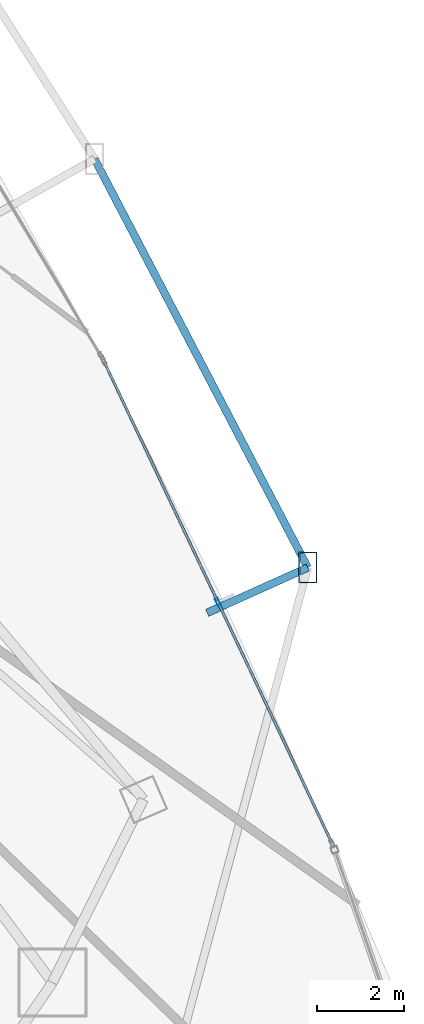
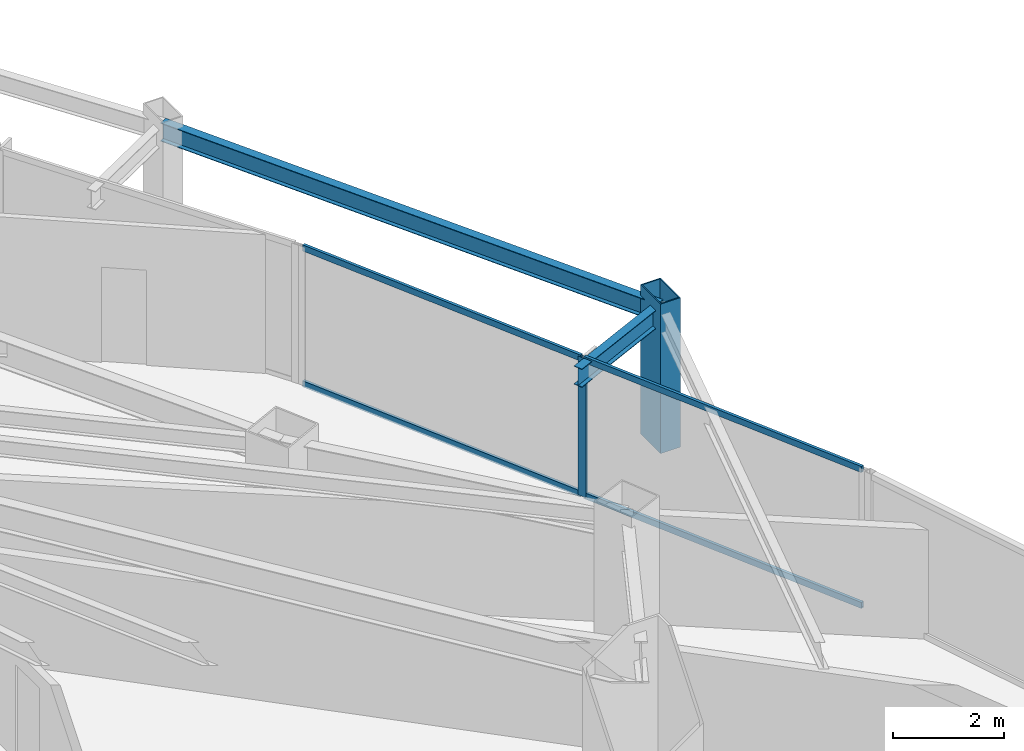
# One storey, part 19 of 34: 6 members, 2 beams, 1 element without a shape of its own.
"""IFC4 building model written with IfcOpenShell, lengths in metres."""

from ifc_helpers import new_model, si_unit, direction, frame, origin, origin_2d, place, context, subcontext, project, spatial, hollow_rectangle, i_section, extrude, material, layer, layer_set, material_profile, profile_set, type_object, element, aggregate, save


model = new_model("IFC4")

# Units and contexts
model_context = context("Model", 3, precision=1e-05, world=origin(), true_north=direction((0.0, 1.0)))
body_context = subcontext(model_context, "Body", "Model", "MODEL_VIEW")
ifc_project = project(units=[si_unit("LENGTHUNIT", "METRE"), si_unit("AREAUNIT", "SQUARE_METRE"), si_unit("VOLUMEUNIT", "CUBIC_METRE"), si_unit("PLANEANGLEUNIT", "RADIAN"), si_unit("MASSUNIT", "GRAM", prefix="KILO")], contexts=[model_context])

# Site, building, storey
site_placement = place(None, origin())
site = spatial("IfcSite", under=ifc_project, at=site_placement, CompositionType="ELEMENT")
building_placement = place(site_placement, origin())
building = spatial("IfcBuilding", under=site, at=building_placement, Name="Orvanel Arch Residences", CompositionType="ELEMENT")
storey_placement = place(building_placement, frame((0.0, 0.0, 67.550048828125)))
storey = spatial("IfcBuildingStorey", under=building, at=storey_placement, Name="L18", CompositionType="ELEMENT", Elevation=67.550048828125)

# Member
ifc_material_1 = material(Name="Structural steel AS/NZS 3678 Grade 350", Category="steel")
ifc_material_profile_1 = material_profile(ifc_material_1, hollow_rectangle(XDim=0.419921875, YDim=0.719970703125, WallThickness=0.02490234375, at=origin_2d()), Name="RHS720x420x25")
ifc_profile_set_1 = profile_set([ifc_material_profile_1], Name="Structural steel AS/NZS 3678 Grade 350")
member_type_1 = type_object("IfcMemberType", Name="CH-720RHS-EXT", PredefinedType="CHORD", material=ifc_profile_set_1)
member_1_placement = place(storey_placement, frame((57.702880859375, 19.93896484375, 0.0), z_axis=(0.0, 0.0, 1.0), x_axis=(1.0, 0.0, 0.0)))
element("IfcMember", 1, at=member_1_placement, inside=storey, type_object=member_type_1, Name="L18 Outer Perimeter Frame Post 09", PredefinedType="CHORD", context=body_context, shape_type="SweptSolid", body=[
    extrude(hollow_rectangle(XDim=0.419921875, YDim=0.719970703125, WallThickness=0.02490234375, at=origin_2d()), origin(), (0.0, 0.0, 1.0), 3.300048828125),
])

# Curtain wall, member
ifc_material_2 = material(Name="Bronze-anodised aluminium AA6063-T6", Category="aluminium")
ifc_layer = layer(ifc_material_2, 0.179931640625)
ifc_layer_set = layer_set([ifc_layer], Name="Bronze-anodised aluminium AA6063-T6")
curtain_wall_type = type_object("IfcCurtainWallType", Name="CW2-LOW-SYS", PredefinedType="NOTDEFINED", material=ifc_layer_set)
curtain_wall_placement = place(storey_placement, origin())
curtain_wall = element("IfcCurtainWall", 2, at=curtain_wall_placement, inside=storey, type_object=curtain_wall_type, Name="L18 CW2-LOW-SYS Unitised Curtain Wall", PredefinedType="NOTDEFINED")
ifc_material_profile_2 = material_profile(ifc_material_2, hollow_rectangle(XDim=0.070068359375, YDim=0.179931640625, WallThickness=0.00439453125, at=origin_2d()), Name="ALU180x70x4.5")
ifc_profile_set_2 = profile_set([ifc_material_profile_2], Name="Bronze-anodised aluminium AA6063-T6")
member_type_2 = type_object("IfcMemberType", Name="MUL-180x70", PredefinedType="MULLION", material=ifc_profile_set_2)
member_2_placement = place(storey_placement, frame((55.6259765625, 19.14306640625, 0.0), z_axis=(0.0, 0.0, 1.0), x_axis=(-0.903875434189, -0.427795745036, 0.0)))
member_2 = element("IfcMember", 3, at=member_2_placement, type_object=member_type_2, Name="CW-S2 mullion 2", PredefinedType="MULLION", context=body_context, shape_type="SweptSolid", body=[
    extrude(hollow_rectangle(XDim=0.070068359375, YDim=0.179931640625, WallThickness=0.00439453125, at=origin_2d()), origin(), (0.0, 0.0, 1.0), 3.06005859375),
])

# Beams
ifc_material_3 = material(Name="Structural steel AS/NZS 3679.1 Grade 300 (300 MPa)", Category="steel")
ifc_material_profile_3 = material_profile(ifc_material_3, i_section(OverallWidth=0.177978515625, OverallDepth=0.406005859375, WebThickness=0.0078125, FlangeThickness=0.0126953125, at=origin_2d()), Name="410UB59.7")
ifc_profile_set_3 = profile_set([ifc_material_profile_3], Name="Structural steel AS/NZS 3679.1 Grade 300 (300 MPa)")
beam_type = type_object("IfcBeamType", Name="OB-410UB-EXT", PredefinedType="SPANDREL", material=ifc_profile_set_3)
beam_1_placement = place(storey_placement, frame((55.3779296875, 18.89306640625, 2.85693359375), z_axis=(0.911969879065, 0.41025716286, 0.0), x_axis=(-0.41025716286, 0.911969879065, 0.0)))
element("IfcBeam", 4, at=beam_1_placement, inside=storey, type_object=beam_type, Name="L18 Outer Frame Radial Tie Beam 09", PredefinedType="SPANDREL", context=body_context, shape_type="SweptSolid", body=[
    extrude(i_section(OverallWidth=0.177978515625, OverallDepth=0.406005859375, WebThickness=0.0078125, FlangeThickness=0.0126953125, at=origin_2d()), origin(), (0.0, 0.0, 1.0), 2.54931640625),
])
beam_2_placement = place(storey_placement, frame((57.702880859375, 19.93896484375, 2.85693359375), z_axis=(-0.462502564623, 0.886617943489, 0.0), x_axis=(-0.886617943489, -0.462502564623, 0.0)))
element("IfcBeam", 5, at=beam_2_placement, inside=storey, type_object=beam_type, Name="L18 Outer Perimeter Floor Ring Beam 09", PredefinedType="SPANDREL", context=body_context, shape_type="SweptSolid", body=[
    extrude(i_section(OverallWidth=0.177978515625, OverallDepth=0.406005859375, WebThickness=0.0078125, FlangeThickness=0.0126953125, at=origin_2d()), origin(), (0.0, 0.0, 1.0), 10.65283203125),
])

# Member
ifc_material_profile_4 = material_profile(ifc_material_2, hollow_rectangle(XDim=0.06005859375, YDim=0.135009765625, WallThickness=0.00390625, at=origin_2d()), Name="ALU135x60x4")
ifc_profile_set_4 = profile_set([ifc_material_profile_4], Name="Bronze-anodised aluminium AA6063-T6")
member_type_3 = type_object("IfcMemberType", Name="TRN-135x60", PredefinedType="USERDEFINED", material=ifc_profile_set_4)
member_3_placement = place(storey_placement, frame((58.254150390625, 13.59033203125, 0.030029296875), z_axis=(-0.427828608407, 0.903859879533, 0.0), x_axis=(-0.903859879533, -0.427828608407, 0.0)))
member_3 = element("IfcMember", 6, at=member_3_placement, type_object=member_type_3, Name="CW-S2 transom 1.1", ObjectType="TRANSOM", PredefinedType="USERDEFINED", context=body_context, shape_type="SweptSolid", body=[
    extrude(hollow_rectangle(XDim=0.06005859375, YDim=0.135009765625, WallThickness=0.00390625, at=origin_2d()), origin(), (0.0, 0.0, 1.0), 6.108154296875),
])

member_4_placement = place(storey_placement, frame((58.254150390625, 13.59033203125, 3.030029296875), z_axis=(-0.427828608407, 0.903859879533, 0.0), x_axis=(-0.903859879533, -0.427828608407, 0.0)))
member_4 = element("IfcMember", 7, at=member_4_placement, type_object=member_type_3, Name="CW-S2 transom 1.2", ObjectType="TRANSOM", PredefinedType="USERDEFINED", context=body_context, shape_type="SweptSolid", body=[
    extrude(hollow_rectangle(XDim=0.06005859375, YDim=0.135009765625, WallThickness=0.00390625, at=origin_2d()), origin(), (0.0, 0.0, 1.0), 6.108154296875),
])

member_5_placement = place(storey_placement, frame((55.611083984375, 19.174560546875, 0.030029296875), z_axis=(-0.427780499589, 0.903882649557, 0.0), x_axis=(-0.903882649557, -0.427780499589, 0.0)))
member_5 = element("IfcMember", 8, at=member_5_placement, type_object=member_type_3, Name="CW-S2 transom 2.1", ObjectType="TRANSOM", PredefinedType="USERDEFINED", context=body_context, shape_type="SweptSolid", body=[
    extrude(hollow_rectangle(XDim=0.06005859375, YDim=0.135009765625, WallThickness=0.00390625, at=origin_2d()), origin(), (0.0, 0.0, 1.0), 6.1083984375),
])

member_6_placement = place(storey_placement, frame((55.611083984375, 19.174560546875, 3.030029296875), z_axis=(-0.427780499589, 0.903882649557, 0.0), x_axis=(-0.903882649557, -0.427780499589, 0.0)))
member_6 = element("IfcMember", 9, at=member_6_placement, type_object=member_type_3, Name="CW-S2 transom 2.2", ObjectType="TRANSOM", PredefinedType="USERDEFINED", context=body_context, shape_type="SweptSolid", body=[
    extrude(hollow_rectangle(XDim=0.06005859375, YDim=0.135009765625, WallThickness=0.00390625, at=origin_2d()), origin(), (0.0, 0.0, 1.0), 6.1083984375),
])

aggregate(curtain_wall, [member_2, member_3, member_4, member_5, member_6])

save(model, "model.ifc")
